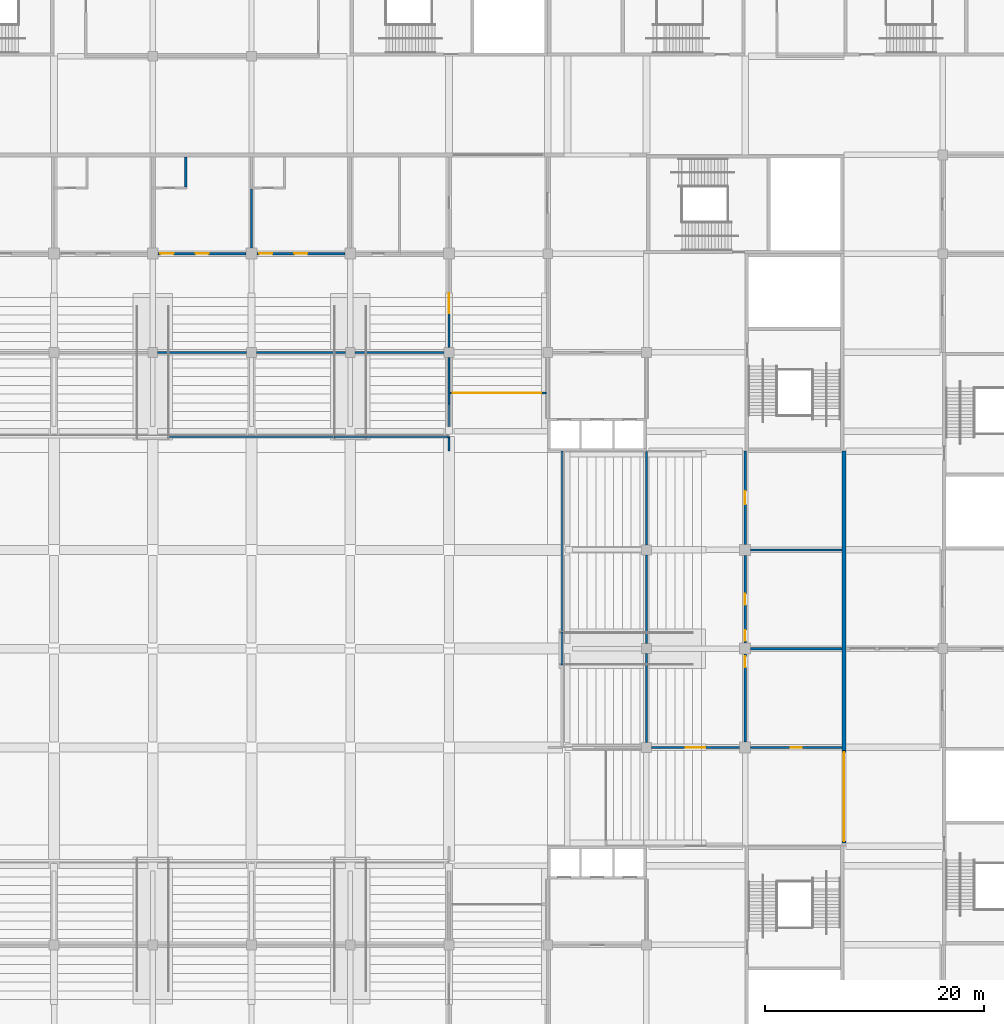
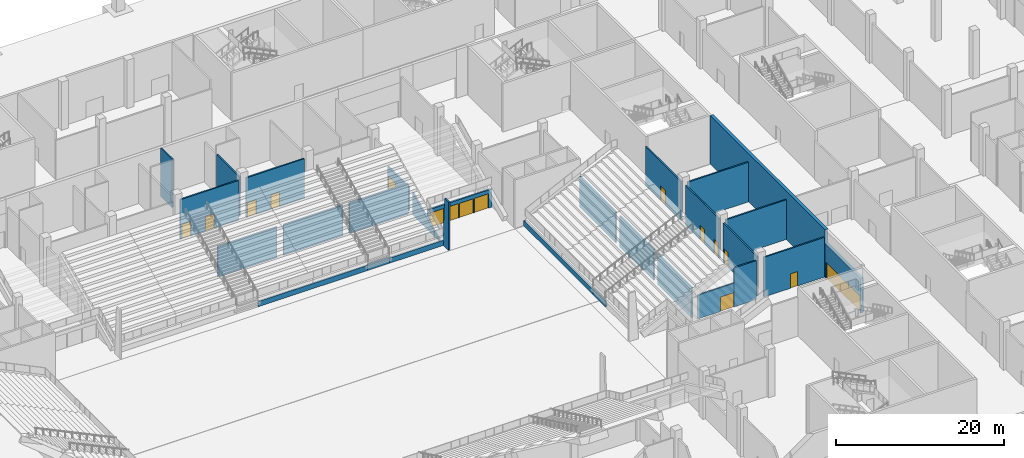
# One storey, part 35 of 92: 29 walls, 16 doors, 16 openings.
"""IFC4 building model written with IfcOpenShell, lengths in metres."""

from ifc_helpers import new_model, si_unit, direction, frame, frame_2d, origin, place, context, subcontext, project, spatial, polyline, rectangle, outline, extrude, material, layer, layer_set, type_object, element, fill, save


model = new_model("IFC4")

# Units and contexts
model_context = context("Model", 3, precision=1e-05, world=origin(), true_north=direction((0.0, 1.0)))
body_context = subcontext(model_context, "Body", "Model", "MODEL_VIEW")
ifc_project = project(units=[si_unit("LENGTHUNIT", "METRE"), si_unit("AREAUNIT", "SQUARE_METRE"), si_unit("VOLUMEUNIT", "CUBIC_METRE"), si_unit("PLANEANGLEUNIT", "RADIAN"), si_unit("MASSUNIT", "GRAM", prefix="KILO")], contexts=[model_context])

# Site, building, storey
site_placement = place(None, origin())
site = spatial("IfcSite", under=ifc_project, at=site_placement, CompositionType="ELEMENT")
building_placement = place(site_placement, origin())
building = spatial("IfcBuilding", under=site, at=building_placement, Name="Silverbay Arena", CompositionType="ELEMENT")
storey_placement = place(building_placement, origin())
storey = spatial("IfcBuildingStorey", under=building, at=storey_placement, Name="L00", CompositionType="ELEMENT", Elevation=0.0)

# Wall, opening, door
ifc_material_1 = material(Name="Concrete Grade C45", Category="concrete")
ifc_layer_1 = layer(ifc_material_1, 0.39990234375)
ifc_layer_set_1 = layer_set([ifc_layer_1], Name="Concrete Grade C45")
wall_type_1 = type_object("IfcWallType", Name="Bowl enclosure wall RC 400 EI 120", PredefinedType="SOLIDWALL", material=ifc_layer_set_1)
wall_1_placement = place(storey_placement, frame((189.0, 63.300048828125, 0.0), z_axis=(0.0, 0.0, 1.0), x_axis=(0.0, 1.0, 0.0)))
wall_1 = element("IfcWall", 1, at=wall_1_placement, inside=storey, type_object=wall_type_1, Name="tunnel floor tunnel ES", PredefinedType="SOLIDWALL", context=body_context, shape_type="SweptSolid", body=[
    extrude(rectangle(XDim=8.39990234375, YDim=0.39990234375, at=frame_2d((4.199951171875, 0.0))), origin(), (0.0, 0.0, 1.0), 5.0),
])
opening_1_placement = place(wall_1_placement, frame((0.14990234375, 0.0, 0.0)))
opening_1 = element("IfcOpeningElement", 2, at=opening_1_placement, cuts=wall_1, Name="Opening L00-229", PredefinedType="OPENING", context=body_context, shape_type="SweptSolid", body=[
    extrude(rectangle(XDim=8.10009765625, YDim=2.39990234375, at=frame_2d((4.050048828125, 1.199951171875))), frame((0.0, 0.2099609375, 0.0), z_axis=(0.0, -1.0, 0.0), x_axis=(1.0, 0.0, 0.0)), (0.0, 0.0, 1.0), 0.419921875),
])
ifc_material_2 = material(Name="Steel", Category="steel")
door_type_1 = type_object("IfcDoorType", Name="Fire door set 8100 x 2400 FD120S tunnel", OperationType="DOUBLE_DOOR_SINGLE_SWING", PredefinedType="DOOR", material=ifc_material_2)
door_1_placement = place(opening_1_placement, frame((8.10009765625, 0.0, 0.0), z_axis=(0.0, 0.0, 1.0), x_axis=(-1.0, 0.0, 0.0)))
door_1 = element("IfcDoor", 3, at=door_1_placement, inside=storey, type_object=door_type_1, Name="Fire door set L00 tunnel floor tunnel ES", OperationType="DOUBLE_DOOR_SINGLE_SWING", OverallHeight=2.39990234375, OverallWidth=8.10009765625, PredefinedType="DOOR", context=body_context, shape_type="SweptSolid", body=[
    extrude(rectangle(XDim=8.10009765625, YDim=2.39990234375, at=frame_2d((4.050048828125, 1.199951171875))), frame((0.0, 0.02490234375, 0.0), z_axis=(0.0, -1.0, 0.0), x_axis=(1.0, 0.0, 0.0)), (0.0, 0.0, 1.0), 0.050048828125),
])
fill(opening_1, door_1)

ifc_material_3 = material(Name="Masonry blockwork partition", Category="masonry")
ifc_layer_2 = layer(ifc_material_3, 0.199951171875)
ifc_layer_set_2 = layer_set([ifc_layer_2], Name="Masonry blockwork partition")
wall_type_2 = type_object("IfcWallType", Name="Partition 200 EI 120", PredefinedType="PARTITIONING", material=ifc_layer_set_2)
wall_2_placement = place(storey_placement, frame((171.449951171875, 72.0, 0.0), z_axis=(0.0, 0.0, 1.0), x_axis=(1.0, 0.0, 0.0)))
wall_2 = element("IfcWall", 4, at=wall_2_placement, inside=storey, type_object=wall_type_2, Name="Partition wall", PredefinedType="PARTITIONING", context=body_context, shape_type="SweptSolid", body=[
    extrude(rectangle(XDim=4.97900390625, YDim=0.199951171875, at=frame_2d((2.489501953125, 0.0))), origin(), (0.0, 0.0, 1.0), 3.43896484375),
])
opening_2_placement = place(wall_2_placement, frame((3.125, 0.0, 0.0)))
opening_2 = element("IfcOpeningElement", 5, at=opening_2_placement, cuts=wall_2, Name="Opening L00-089", PredefinedType="OPENING", context=body_context, shape_type="SweptSolid", body=[
    extrude(rectangle(XDim=1.800048828125, YDim=2.10009765625, at=frame_2d((0.89990234375, 1.050048828125))), frame((0.0, 0.10986328125, 0.0), z_axis=(0.0, -1.0, 0.0), x_axis=(1.0, 0.0, 0.0)), (0.0, 0.0, 1.0), 0.219970703125),
])
ifc_material_4 = material(Name="Steel faced timber", Category="steel")
door_type_2 = type_object("IfcDoorType", Name="Double leaf door 1800 x 2100 FD120", OperationType="DOUBLE_DOOR_DOUBLE_SWING", PredefinedType="DOOR", material=ifc_material_4)
door_2_placement = place(opening_2_placement, origin())
door_2 = element("IfcDoor", 6, at=door_2_placement, inside=storey, type_object=door_type_2, Name="Door L00-089", OperationType="DOUBLE_DOOR_DOUBLE_SWING", OverallHeight=2.10009765625, OverallWidth=1.800048828125, PredefinedType="DOOR", context=body_context, shape_type="SweptSolid", body=[
    extrude(rectangle(XDim=1.800048828125, YDim=2.10009765625, at=frame_2d((0.89990234375, 1.050048828125))), frame((0.0, 0.02490234375, 0.0), z_axis=(0.0, -1.0, 0.0), x_axis=(1.0, 0.0, 0.0)), (0.0, 0.0, 1.0), 0.050048828125),
])
fill(opening_2, door_2)

wall_3_placement = place(storey_placement, frame((180.5, 72.0, 0.0), z_axis=(0.0, 0.0, 1.0), x_axis=(1.0, 0.0, 0.0)))
wall_3 = element("IfcWall", 7, at=wall_3_placement, inside=storey, type_object=wall_type_2, Name="Partition wall", PredefinedType="PARTITIONING", context=body_context, shape_type="SweptSolid", body=[
    extrude(rectangle(XDim=8.300048828125, YDim=0.199951171875, at=frame_2d((4.14990234375, 0.0))), origin(), (0.0, 0.0, 1.0), 5.75),
])
opening_3_placement = place(wall_3_placement, frame((3.64990234375, 0.0, 0.0)))
opening_3 = element("IfcOpeningElement", 8, at=opening_3_placement, cuts=wall_3, Name="Opening L00-045", PredefinedType="OPENING", context=body_context, shape_type="SweptSolid", body=[
    extrude(rectangle(XDim=1.0, YDim=2.10009765625, at=frame_2d((0.5, 1.050048828125))), frame((0.0, 0.10986328125, 0.0), z_axis=(0.0, -1.0, 0.0), x_axis=(1.0, 0.0, 0.0)), (0.0, 0.0, 1.0), 0.219970703125),
])
ifc_material_5 = material(Name="Steel faced timber", Category="steel")
door_type_3 = type_object("IfcDoorType", Name="Single leaf door 1000 x 2100 FD120", OperationType="SINGLE_SWING_LEFT", PredefinedType="DOOR", material=ifc_material_5)
door_3_placement = place(opening_3_placement, origin())
door_3 = element("IfcDoor", 9, at=door_3_placement, inside=storey, type_object=door_type_3, Name="Door L00-045", OperationType="SINGLE_SWING_LEFT", OverallHeight=2.10009765625, OverallWidth=1.0, PredefinedType="DOOR", context=body_context, shape_type="SweptSolid", body=[
    extrude(rectangle(XDim=1.0, YDim=2.10009765625, at=frame_2d((0.5, 1.050048828125))), frame((0.0, 0.02490234375, 0.0), z_axis=(0.0, -1.0, 0.0), x_axis=(1.0, 0.0, 0.0)), (0.0, 0.0, 1.0), 0.050048828125),
])
fill(opening_3, door_3)

# Walls
wall_4_placement = place(storey_placement, frame((180.5, 90.0, 0.0), z_axis=(0.0, 0.0, 1.0), x_axis=(1.0, 0.0, 0.0)))
element("IfcWall", 10, at=wall_4_placement, inside=storey, type_object=wall_type_2, Name="Partition wall", PredefinedType="PARTITIONING", context=body_context, shape_type="SweptSolid", body=[
    extrude(rectangle(XDim=8.300048828125, YDim=0.199951171875, at=frame_2d((4.14990234375, 0.0))), origin(), (0.0, 0.0, 1.0), 5.75),
])
wall_5_placement = place(storey_placement, frame((153.0, 99.010009765625, 0.0), z_axis=(0.0, 0.0, 1.0), x_axis=(0.0, 1.0, 0.0)))
element("IfcWall", 11, at=wall_5_placement, inside=storey, type_object=wall_type_2, Name="Partition wall", PredefinedType="PARTITIONING", context=body_context, shape_type="SweptSolid", body=[
    extrude(outline(polyline([(0.0, 0.0), (1.340087890625, 0.0), (1.340087890625, -0.188720703125), (0.893310546875, 7.0), (0.0, 7.0), (0.0, 0.0)])), frame((0.0, 0.10009765625, 0.0), z_axis=(0.0, -1.0, 0.0), x_axis=(1.0, 0.0, 0.0)), (0.0, 0.0, 1.0), 0.199951171875),
])
wall_6_placement = place(storey_placement, frame((153.0, 101.25, 0.0), z_axis=(0.0, 0.0, 1.0), x_axis=(0.0, 1.0, 0.0)))
element("IfcWall", 12, at=wall_6_placement, inside=storey, type_object=wall_type_2, Name="Partition wall", PredefinedType="PARTITIONING", context=body_context, shape_type="SweptSolid", body=[
    extrude(outline(polyline([(0.0, 0.0), (6.300048828125, 0.0), (6.300048828125, 3.231201171875), (4.361572265625, 2.310546875), (0.0, 0.23876953125), (0.0, 0.0)])), frame((0.0, 0.10009765625, 0.0), z_axis=(0.0, -1.0, 0.0), x_axis=(1.0, 0.0, 0.0)), (0.0, 0.0, 1.0), 0.199951171875),
])

# Wall, opening, door
wall_7_placement = place(storey_placement, frame((153.0, 108.449951171875, 0.0), z_axis=(0.0, 0.0, 1.0), x_axis=(0.0, 1.0, 0.0)))
wall_7 = element("IfcWall", 13, at=wall_7_placement, inside=storey, type_object=wall_type_2, Name="Partition wall", PredefinedType="PARTITIONING", context=body_context, shape_type="SweptSolid", body=[
    extrude(rectangle(XDim=4.97900390625, YDim=0.199951171875, at=frame_2d((2.489501953125, 0.0))), origin(), (0.0, 0.0, 1.0), 3.43896484375),
])
opening_4_placement = place(wall_7_placement, frame((3.125, 0.0, 0.0)))
opening_4 = element("IfcOpeningElement", 14, at=opening_4_placement, cuts=wall_7, Name="Opening L00-085", PredefinedType="OPENING", context=body_context, shape_type="SweptSolid", body=[
    extrude(rectangle(XDim=1.800048828125, YDim=2.10009765625, at=frame_2d((0.89990234375, 1.050048828125))), frame((0.0, 0.10986328125, 0.0), z_axis=(0.0, -1.0, 0.0), x_axis=(1.0, 0.0, 0.0)), (0.0, 0.0, 1.0), 0.219970703125),
])
door_4_placement = place(opening_4_placement, origin())
door_4 = element("IfcDoor", 15, at=door_4_placement, inside=storey, type_object=door_type_2, Name="Door L00-085", OperationType="DOUBLE_DOOR_DOUBLE_SWING", OverallHeight=2.10009765625, OverallWidth=1.800048828125, PredefinedType="DOOR", context=body_context, shape_type="SweptSolid", body=[
    extrude(rectangle(XDim=1.800048828125, YDim=2.10009765625, at=frame_2d((0.89990234375, 1.050048828125))), frame((0.0, 0.02490234375, 0.0), z_axis=(0.0, -1.0, 0.0), x_axis=(1.0, 0.0, 0.0)), (0.0, 0.0, 1.0), 0.050048828125),
])
fill(opening_4, door_4)

wall_8_placement = place(storey_placement, frame((180.0, 72.5, 0.0), z_axis=(0.0, 0.0, 1.0), x_axis=(0.0, 1.0, 0.0)))
wall_8 = element("IfcWall", 16, at=wall_8_placement, inside=storey, type_object=wall_type_2, Name="Partition wall", PredefinedType="PARTITIONING", context=body_context, shape_type="SweptSolid", body=[
    extrude(rectangle(XDim=8.0, YDim=0.199951171875, at=frame_2d((4.0, 0.0))), origin(), (0.0, 0.0, 1.0), 5.75),
])
opening_5_placement = place(wall_8_placement, frame((6.800048828125, 0.0, 0.0)))
opening_5 = element("IfcOpeningElement", 17, at=opening_5_placement, cuts=wall_8, Name="Opening L00-106", PredefinedType="OPENING", context=body_context, shape_type="SweptSolid", body=[
    extrude(rectangle(XDim=1.0, YDim=2.10009765625, at=frame_2d((0.5, 1.050048828125))), frame((0.0, 0.10986328125, 0.0), z_axis=(0.0, -1.0, 0.0), x_axis=(1.0, 0.0, 0.0)), (0.0, 0.0, 1.0), 0.219970703125),
])
door_5_placement = place(opening_5_placement, frame((1.0, 0.0, 0.0), z_axis=(0.0, 0.0, 1.0), x_axis=(-1.0, 0.0, 0.0)))
door_5 = element("IfcDoor", 18, at=door_5_placement, inside=storey, type_object=door_type_3, Name="Door L00-106", OperationType="SINGLE_SWING_LEFT", OverallHeight=2.10009765625, OverallWidth=1.0, PredefinedType="DOOR", context=body_context, shape_type="SweptSolid", body=[
    extrude(rectangle(XDim=1.0, YDim=2.10009765625, at=frame_2d((0.5, 1.050048828125))), frame((0.0, 0.02490234375, 0.0), z_axis=(0.0, -1.0, 0.0), x_axis=(1.0, 0.0, 0.0)), (0.0, 0.0, 1.0), 0.050048828125),
])
fill(opening_5, door_5)

# Wall, openings, doors
wall_9_placement = place(storey_placement, frame((180.0, 81.5, 0.0), z_axis=(0.0, 0.0, 1.0), x_axis=(0.0, 1.0, 0.0)))
wall_9 = element("IfcWall", 19, at=wall_9_placement, inside=storey, type_object=wall_type_2, Name="Partition wall", PredefinedType="PARTITIONING", context=body_context, shape_type="SweptSolid", body=[
    extrude(rectangle(XDim=8.0, YDim=0.199951171875, at=frame_2d((4.0, 0.0))), origin(), (0.0, 0.0, 1.0), 5.75),
])
opening_6_placement = place(wall_9_placement, frame((3.5, 0.0, 0.0)))
opening_6 = element("IfcOpeningElement", 20, at=opening_6_placement, cuts=wall_9, Name="Opening L00-046", PredefinedType="OPENING", context=body_context, shape_type="SweptSolid", body=[
    extrude(rectangle(XDim=1.0, YDim=2.10009765625, at=frame_2d((0.5, 1.050048828125))), frame((0.0, 0.10986328125, 0.0), z_axis=(0.0, -1.0, 0.0), x_axis=(1.0, 0.0, 0.0)), (0.0, 0.0, 1.0), 0.219970703125),
])
opening_7_placement = place(wall_9_placement, frame((0.199951171875, 0.0, 0.0)))
opening_7 = element("IfcOpeningElement", 21, at=opening_7_placement, cuts=wall_9, Name="Opening L00-107", PredefinedType="OPENING", context=body_context, shape_type="SweptSolid", body=[
    extrude(rectangle(XDim=1.0, YDim=2.10009765625, at=frame_2d((0.5, 1.050048828125))), frame((0.0, 0.10986328125, 0.0), z_axis=(0.0, -1.0, 0.0), x_axis=(1.0, 0.0, 0.0)), (0.0, 0.0, 1.0), 0.219970703125),
])
door_6_placement = place(opening_6_placement, frame((1.0, 0.0, 0.0), z_axis=(0.0, 0.0, 1.0), x_axis=(-1.0, 0.0, 0.0)))
door_6 = element("IfcDoor", 22, at=door_6_placement, inside=storey, type_object=door_type_3, Name="Door L00-046", OperationType="SINGLE_SWING_LEFT", OverallHeight=2.10009765625, OverallWidth=1.0, PredefinedType="DOOR", context=body_context, shape_type="SweptSolid", body=[
    extrude(rectangle(XDim=1.0, YDim=2.10009765625, at=frame_2d((0.5, 1.050048828125))), frame((0.0, 0.02490234375, 0.0), z_axis=(0.0, -1.0, 0.0), x_axis=(1.0, 0.0, 0.0)), (0.0, 0.0, 1.0), 0.050048828125),
])
fill(opening_6, door_6)
door_7_placement = place(opening_7_placement, frame((1.0, 0.0, 0.0), z_axis=(0.0, 0.0, 1.0), x_axis=(-1.0, 0.0, 0.0)))
door_7 = element("IfcDoor", 23, at=door_7_placement, inside=storey, type_object=door_type_3, Name="Door L00-107", OperationType="SINGLE_SWING_RIGHT", OverallHeight=2.10009765625, OverallWidth=1.0, PredefinedType="DOOR", context=body_context, shape_type="SweptSolid", body=[
    extrude(rectangle(XDim=1.0, YDim=2.10009765625, at=frame_2d((0.5, 1.050048828125))), frame((0.0, 0.02490234375, 0.0), z_axis=(0.0, -1.0, 0.0), x_axis=(1.0, 0.0, 0.0)), (0.0, 0.0, 1.0), 0.050048828125),
])
fill(opening_7, door_7)

# Wall, opening, door
wall_10_placement = place(storey_placement, frame((180.0, 90.5, 0.0), z_axis=(0.0, 0.0, 1.0), x_axis=(0.0, 1.0, 0.0)))
wall_10 = element("IfcWall", 24, at=wall_10_placement, inside=storey, type_object=wall_type_2, Name="Partition wall", PredefinedType="PARTITIONING", context=body_context, shape_type="SweptSolid", body=[
    extrude(rectangle(XDim=8.5, YDim=0.199951171875, at=frame_2d((4.25, 0.0))), origin(), (0.0, 0.0, 1.0), 5.64990234375),
])
opening_8_placement = place(wall_10_placement, frame((3.64990234375, 0.0, 0.0)))
opening_8 = element("IfcOpeningElement", 25, at=opening_8_placement, cuts=wall_10, Name="Opening L00-047", PredefinedType="OPENING", context=body_context, shape_type="SweptSolid", body=[
    extrude(rectangle(XDim=1.199951171875, YDim=2.10009765625, at=frame_2d((0.60009765625, 1.050048828125))), frame((0.0, 0.10986328125, 0.0), z_axis=(0.0, -1.0, 0.0), x_axis=(1.0, 0.0, 0.0)), (0.0, 0.0, 1.0), 0.219970703125),
])
ifc_material_6 = material(Name="Steel faced timber", Category="steel")
door_type_4 = type_object("IfcDoorType", Name="Single leaf door 1200 x 2100 FD120", OperationType="SINGLE_SWING_LEFT", PredefinedType="DOOR", material=ifc_material_6)
door_8_placement = place(opening_8_placement, frame((1.199951171875, 0.0, 0.0), z_axis=(0.0, 0.0, 1.0), x_axis=(-1.0, 0.0, 0.0)))
door_8 = element("IfcDoor", 26, at=door_8_placement, inside=storey, type_object=door_type_4, Name="Door L00-047", OperationType="SINGLE_SWING_RIGHT", OverallHeight=2.10009765625, OverallWidth=1.199951171875, PredefinedType="DOOR", context=body_context, shape_type="SweptSolid", body=[
    extrude(rectangle(XDim=1.199951171875, YDim=2.10009765625, at=frame_2d((0.60009765625, 1.050048828125))), frame((0.0, 0.02490234375, 0.0), z_axis=(0.0, -1.0, 0.0), x_axis=(1.0, 0.0, 0.0)), (0.0, 0.0, 1.0), 0.050048828125),
])
fill(opening_8, door_8)

# Walls
wall_11_placement = place(storey_placement, frame((176.428955078125, 72.0, 0.0), z_axis=(0.0, 0.0, 1.0), x_axis=(1.0, 0.0, 0.0)))
element("IfcWall", 27, at=wall_11_placement, inside=storey, type_object=wall_type_2, Name="Partition wall", PredefinedType="PARTITIONING", context=body_context, shape_type="SweptSolid", body=[
    extrude(rectangle(XDim=3.071044921875, YDim=0.199951171875, at=frame_2d((1.53564453125, 0.0))), origin(), (0.0, 0.0, 1.0), 5.64990234375),
])
ifc_material_7 = material(Name="Gypsum board partition on steel studs", Category="steel")
ifc_layer_3 = layer(ifc_material_7, 0.199951171875)
ifc_layer_set_3 = layer_set([ifc_layer_3], Name="Gypsum board partition on steel studs")
wall_type_3 = type_object("IfcWallType", Name="Partition 200 EI 60", PredefinedType="PARTITIONING", material=ifc_layer_set_3)
wall_12_placement = place(storey_placement, frame((180.5, 81.0, 0.0), z_axis=(0.0, 0.0, 1.0), x_axis=(1.0, 0.0, 0.0)))
element("IfcWall", 28, at=wall_12_placement, inside=storey, type_object=wall_type_3, Name="Partition wall", PredefinedType="PARTITIONING", context=body_context, shape_type="SweptSolid", body=[
    extrude(rectangle(XDim=8.300048828125, YDim=0.199951171875, at=frame_2d((4.14990234375, 0.0))), origin(), (0.0, 0.0, 1.0), 5.75),
])
for number, where, z_axis, x_axis, name in (
    (29, (144.449951171875, 108.0, 0.0), (0.0, 0.0, 1.0), (1.0, 0.0, 0.0), "Partition wall"),
    (30, (135.449951171875, 108.0, 0.0), (0.0, 0.0, 1.0), (1.0, 0.0, 0.0), "Partition wall"),
    (31, (126.449951171875, 108.0, 0.0), (0.0, 0.0, 1.0), (1.0, 0.0, 0.0), "Partition wall"),
):
    element("IfcWall", number, at=place(storey_placement, frame(where, z_axis=z_axis, x_axis=x_axis)), inside=storey, type_object=wall_type_3, Name=name, PredefinedType="PARTITIONING", context=body_context, shape_type="SweptSolid", body=[
        extrude(rectangle(XDim=8.10009765625, YDim=0.199951171875, at=frame_2d((4.050048828125, 0.0))), origin(), (0.0, 0.0, 1.0), 4.445068359375),
    ])

# Wall, openings, doors
wall_13_placement = place(storey_placement, frame((126.5, 117.0, 0.0), z_axis=(0.0, 0.0, 1.0), x_axis=(1.0, 0.0, 0.0)))
wall_13 = element("IfcWall", 32, at=wall_13_placement, inside=storey, type_object=wall_type_3, Name="Partition wall", PredefinedType="PARTITIONING", context=body_context, shape_type="SweptSolid", body=[
    extrude(rectangle(XDim=8.0, YDim=0.199951171875, at=frame_2d((4.0, 0.0))), origin(), (0.0, 0.0, 1.0), 5.75),
])
opening_9_placement = place(wall_13_placement, frame((3.39990234375, 0.0, 0.0)))
opening_9 = element("IfcOpeningElement", 33, at=opening_9_placement, cuts=wall_13, Name="Opening L00-036", PredefinedType="OPENING", context=body_context, shape_type="SweptSolid", body=[
    extrude(rectangle(XDim=1.199951171875, YDim=2.10009765625, at=frame_2d((0.60009765625, 1.050048828125))), frame((0.0, 0.10986328125, 0.0), z_axis=(0.0, -1.0, 0.0), x_axis=(1.0, 0.0, 0.0)), (0.0, 0.0, 1.0), 0.219970703125),
])
opening_10_placement = place(wall_13_placement, frame((0.199951171875, 0.0, 0.0)))
opening_10 = element("IfcOpeningElement", 34, at=opening_10_placement, cuts=wall_13, Name="Opening L00-102", PredefinedType="OPENING", context=body_context, shape_type="SweptSolid", body=[
    extrude(rectangle(XDim=1.199951171875, YDim=2.10009765625, at=frame_2d((0.60009765625, 1.050048828125))), frame((0.0, 0.10986328125, 0.0), z_axis=(0.0, -1.0, 0.0), x_axis=(1.0, 0.0, 0.0)), (0.0, 0.0, 1.0), 0.219970703125),
])
ifc_material_8 = material(Name="Steel faced timber", Category="steel")
door_type_5 = type_object("IfcDoorType", Name="Single leaf door 1200 x 2100 FD30S", OperationType="SINGLE_SWING_LEFT", PredefinedType="DOOR", material=ifc_material_8)
door_9_placement = place(opening_9_placement, origin())
door_9 = element("IfcDoor", 35, at=door_9_placement, inside=storey, type_object=door_type_5, Name="Door L00-036", OperationType="SINGLE_SWING_RIGHT", OverallHeight=2.10009765625, OverallWidth=1.199951171875, PredefinedType="DOOR", context=body_context, shape_type="SweptSolid", body=[
    extrude(rectangle(XDim=1.199951171875, YDim=2.10009765625, at=frame_2d((0.60009765625, 1.050048828125))), frame((0.0, 0.02490234375, 0.0), z_axis=(0.0, -1.0, 0.0), x_axis=(1.0, 0.0, 0.0)), (0.0, 0.0, 1.0), 0.050048828125),
])
fill(opening_9, door_9)
door_10_placement = place(opening_10_placement, origin())
door_10 = element("IfcDoor", 36, at=door_10_placement, inside=storey, type_object=door_type_5, Name="Door L00-102", OperationType="SINGLE_SWING_LEFT", OverallHeight=2.10009765625, OverallWidth=1.199951171875, PredefinedType="DOOR", context=body_context, shape_type="SweptSolid", body=[
    extrude(rectangle(XDim=1.199951171875, YDim=2.10009765625, at=frame_2d((0.60009765625, 1.050048828125))), frame((0.0, 0.02490234375, 0.0), z_axis=(0.0, -1.0, 0.0), x_axis=(1.0, 0.0, 0.0)), (0.0, 0.0, 1.0), 0.050048828125),
])
fill(opening_10, door_10)

wall_14_placement = place(storey_placement, frame((135.5, 117.0, 0.0), z_axis=(0.0, 0.0, 1.0), x_axis=(1.0, 0.0, 0.0)))
wall_14 = element("IfcWall", 37, at=wall_14_placement, inside=storey, type_object=wall_type_3, Name="Partition wall", PredefinedType="PARTITIONING", context=body_context, shape_type="SweptSolid", body=[
    extrude(rectangle(XDim=8.0, YDim=0.199951171875, at=frame_2d((4.0, 0.0))), origin(), (0.0, 0.0, 1.0), 5.75),
])
opening_11_placement = place(wall_14_placement, frame((3.39990234375, 0.0, 0.0)))
opening_11 = element("IfcOpeningElement", 38, at=opening_11_placement, cuts=wall_14, Name="Opening L00-038", PredefinedType="OPENING", context=body_context, shape_type="SweptSolid", body=[
    extrude(rectangle(XDim=1.199951171875, YDim=2.10009765625, at=frame_2d((0.60009765625, 1.050048828125))), frame((0.0, 0.10986328125, 0.0), z_axis=(0.0, -1.0, 0.0), x_axis=(1.0, 0.0, 0.0)), (0.0, 0.0, 1.0), 0.219970703125),
])
opening_12_placement = place(wall_14_placement, frame((0.199951171875, 0.0, 0.0)))
opening_12 = element("IfcOpeningElement", 39, at=opening_12_placement, cuts=wall_14, Name="Opening L00-103", PredefinedType="OPENING", context=body_context, shape_type="SweptSolid", body=[
    extrude(rectangle(XDim=1.199951171875, YDim=2.10009765625, at=frame_2d((0.60009765625, 1.050048828125))), frame((0.0, 0.10986328125, 0.0), z_axis=(0.0, -1.0, 0.0), x_axis=(1.0, 0.0, 0.0)), (0.0, 0.0, 1.0), 0.219970703125),
])
door_11_placement = place(opening_11_placement, origin())
door_11 = element("IfcDoor", 40, at=door_11_placement, inside=storey, type_object=door_type_5, Name="Door L00-038", OperationType="SINGLE_SWING_RIGHT", OverallHeight=2.10009765625, OverallWidth=1.199951171875, PredefinedType="DOOR", context=body_context, shape_type="SweptSolid", body=[
    extrude(rectangle(XDim=1.199951171875, YDim=2.10009765625, at=frame_2d((0.60009765625, 1.050048828125))), frame((0.0, 0.02490234375, 0.0), z_axis=(0.0, -1.0, 0.0), x_axis=(1.0, 0.0, 0.0)), (0.0, 0.0, 1.0), 0.050048828125),
])
fill(opening_11, door_11)
door_12_placement = place(opening_12_placement, origin())
door_12 = element("IfcDoor", 41, at=door_12_placement, inside=storey, type_object=door_type_5, Name="Door L00-103", OperationType="SINGLE_SWING_LEFT", OverallHeight=2.10009765625, OverallWidth=1.199951171875, PredefinedType="DOOR", context=body_context, shape_type="SweptSolid", body=[
    extrude(rectangle(XDim=1.199951171875, YDim=2.10009765625, at=frame_2d((0.60009765625, 1.050048828125))), frame((0.0, 0.02490234375, 0.0), z_axis=(0.0, -1.0, 0.0), x_axis=(1.0, 0.0, 0.0)), (0.0, 0.0, 1.0), 0.050048828125),
])
fill(opening_12, door_12)

# Walls
wall_15_placement = place(storey_placement, frame((135.0, 117.5, 0.0), z_axis=(0.0, 0.0, 1.0), x_axis=(0.0, 1.0, 0.0)))
element("IfcWall", 42, at=wall_15_placement, inside=storey, type_object=wall_type_3, Name="Partition wall", PredefinedType="PARTITIONING", context=body_context, shape_type="SweptSolid", body=[
    extrude(rectangle(XDim=5.39990234375, YDim=0.199951171875, at=frame_2d((2.699951171875, 0.0))), origin(), (0.0, 0.0, 1.0), 5.75),
])
for number, where, z_axis, x_axis, name in (
    (43, (171.0, 72.449951171875, 0.0), (0.0, 0.0, 1.0), (0.0, 1.0, 0.0), "Partition wall"),
    (44, (171.0, 81.449951171875, 0.0), (0.0, 0.0, 1.0), (0.0, 1.0, 0.0), "Partition wall"),
):
    element("IfcWall", number, at=place(storey_placement, frame(where, z_axis=z_axis, x_axis=x_axis)), inside=storey, type_object=wall_type_3, Name=name, PredefinedType="PARTITIONING", context=body_context, shape_type="SweptSolid", body=[
        extrude(rectangle(XDim=8.10009765625, YDim=0.199951171875, at=frame_2d((4.050048828125, 0.0))), origin(), (0.0, 0.0, 1.0), 4.445068359375),
    ])
wall_16_placement = place(storey_placement, frame((171.0, 90.449951171875, 0.0), z_axis=(0.0, 0.0, 1.0), x_axis=(0.0, 1.0, 0.0)))
element("IfcWall", 45, at=wall_16_placement, inside=storey, type_object=wall_type_3, Name="Partition wall", PredefinedType="PARTITIONING", context=body_context, shape_type="SweptSolid", body=[
    extrude(rectangle(XDim=8.5400390625, YDim=0.199951171875, at=frame_2d((4.27001953125, 0.0))), origin(), (0.0, 0.0, 1.0), 4.445068359375),
])
ifc_material_9 = material(Name="Gypsum board partition on steel studs", Category="steel")
ifc_layer_4 = layer(ifc_material_9, 0.199951171875)
ifc_layer_set_4 = layer_set([ifc_layer_4], Name="Gypsum board partition on steel studs")
wall_type_4 = type_object("IfcWallType", Name="Partition 200 plain", PredefinedType="PARTITIONING", material=ifc_layer_set_4)
wall_17_placement = place(storey_placement, frame((129.0, 123.10009765625, 0.0), z_axis=(0.0, 0.0, 1.0), x_axis=(0.0, 1.0, 0.0)))
element("IfcWall", 46, at=wall_17_placement, inside=storey, type_object=wall_type_4, Name="Partition wall", PredefinedType="PARTITIONING", context=body_context, shape_type="SweptSolid", body=[
    extrude(rectangle(XDim=2.699951171875, YDim=0.199951171875, at=frame_2d((1.35009765625, 0.0))), origin(), (0.0, 0.0, 1.0), 7.0),
])
ifc_material_10 = material(Name="Concrete Grade C45", Category="concrete")
ifc_layer_5 = layer(ifc_material_10, 0.39990234375)
ifc_layer_set_5 = layer_set([ifc_layer_5], Name="Concrete Grade C45")
wall_type_5 = type_object("IfcWallType", Name="RC back wall 400 EI 120", PredefinedType="SOLIDWALL", material=ifc_layer_set_5)
wall_18_placement = place(storey_placement, frame((189.0, 71.699951171875, 0.0), z_axis=(0.0, 0.0, 1.0), x_axis=(0.0, 1.0, 0.0)))
element("IfcWall", 47, at=wall_18_placement, inside=storey, type_object=wall_type_5, Name="Bowl back wall L00 07", PredefinedType="SOLIDWALL", context=body_context, shape_type="SweptSolid", body=[
    extrude(rectangle(XDim=27.300048828125, YDim=0.39990234375, at=frame_2d((13.64990234375, 0.0))), origin(), (0.0, 0.0, 1.0), 7.0),
])
ifc_material_11 = material(Name="Concrete Grade C45", Category="concrete")
ifc_layer_6 = layer(ifc_material_11, 0.199951171875)
ifc_layer_set_6 = layer_set([ifc_layer_6], Name="Concrete Grade C45")
wall_type_6 = type_object("IfcWallType", Name="Stand front wall RC 200 EI 120", PredefinedType="SOLIDWALL", material=ifc_layer_set_6)
wall_19_placement = place(storey_placement, frame((163.300048828125, 79.5, 0.0), z_axis=(0.0, 0.0, 1.0), x_axis=(0.0, 1.0, 0.0)))
element("IfcWall", 48, at=wall_19_placement, inside=storey, type_object=wall_type_6, Name="Stand front wall", PredefinedType="SOLIDWALL", context=body_context, shape_type="SweptSolid", body=[
    extrude(rectangle(XDim=3.0, YDim=0.199951171875, at=frame_2d((1.5, 0.0))), origin(), (0.0, 0.0, 1.0), 0.811279296875),
])
wall_20_placement = place(storey_placement, frame((163.300048828125, 82.5, 0.0), z_axis=(0.0, 0.0, 1.0), x_axis=(0.0, 1.0, 0.0)))
element("IfcWall", 49, at=wall_20_placement, inside=storey, type_object=wall_type_6, Name="Stand front wall", PredefinedType="SOLIDWALL", context=body_context, shape_type="SweptSolid", body=[
    extrude(rectangle(XDim=16.5, YDim=0.199951171875, at=frame_2d((8.25, 0.0))), origin(), (0.0, 0.0, 1.0), 0.739990234375),
])
wall_21_placement = place(storey_placement, frame((127.5, 100.300048828125, 0.0), z_axis=(0.0, 0.0, 1.0), x_axis=(1.0, 0.0, 0.0)))
element("IfcWall", 50, at=wall_21_placement, inside=storey, type_object=wall_type_6, Name="Stand front wall", PredefinedType="SOLIDWALL", context=body_context, shape_type="SweptSolid", body=[
    extrude(rectangle(XDim=15.0, YDim=0.199951171875, at=frame_2d((7.5, 0.0))), origin(), (0.0, 0.0, 1.0), 0.739990234375),
])
wall_22_placement = place(storey_placement, frame((142.5, 100.300048828125, 0.0), z_axis=(0.0, 0.0, 1.0), x_axis=(1.0, 0.0, 0.0)))
element("IfcWall", 51, at=wall_22_placement, inside=storey, type_object=wall_type_6, Name="Stand front wall", PredefinedType="SOLIDWALL", context=body_context, shape_type="SweptSolid", body=[
    extrude(rectangle(XDim=3.0, YDim=0.199951171875, at=frame_2d((1.5, 0.0))), origin(), (0.0, 0.0, 1.0), 0.811279296875),
])
wall_23_placement = place(storey_placement, frame((145.5, 100.300048828125, 0.0), z_axis=(0.0, 0.0, 1.0), x_axis=(1.0, 0.0, 0.0)))
element("IfcWall", 52, at=wall_23_placement, inside=storey, type_object=wall_type_6, Name="Stand front wall", PredefinedType="SOLIDWALL", context=body_context, shape_type="SweptSolid", body=[
    extrude(rectangle(XDim=7.39990234375, YDim=0.199951171875, at=frame_2d((3.699951171875, 0.0))), origin(), (0.0, 0.0, 1.0), 0.739990234375),
])

# Wall, openings, doors
ifc_material_12 = material(Name="Concrete Grade C45", Category="concrete")
ifc_layer_7 = layer(ifc_material_12, 0.199951171875)
ifc_layer_set_7 = layer_set([ifc_layer_7], Name="Concrete Grade C45")
wall_type_7 = type_object("IfcWallType", Name="Tunnel mouth wall RC 200 EI 120", PredefinedType="SOLIDWALL", material=ifc_layer_set_7)
wall_24_placement = place(storey_placement, frame((153.10009765625, 104.300048828125, 0.0), z_axis=(0.0, 0.0, 1.0), x_axis=(1.0, 0.0, 0.0)))
wall_24 = element("IfcWall", 53, at=wall_24_placement, inside=storey, type_object=wall_type_7, Name="tunnel mouth floor tunnel NE", PredefinedType="SOLIDWALL", context=body_context, shape_type="SweptSolid", body=[
    extrude(rectangle(XDim=8.7998046875, YDim=0.199951171875, at=frame_2d((4.39990234375, 0.0))), origin(), (0.0, 0.0, 1.0), 2.639892578125),
])
opening_13_placement = place(wall_24_placement, frame((0.25, 0.0, 0.0)))
opening_13 = element("IfcOpeningElement", 54, at=opening_13_placement, cuts=wall_24, Name="Opening L00-242", PredefinedType="OPENING", context=body_context, shape_type="SweptSolid", body=[
    extrude(rectangle(XDim=1.89990234375, YDim=2.10009765625, at=frame_2d((0.949951171875, 1.050048828125))), frame((0.0, 0.10986328125, 0.0), z_axis=(0.0, -1.0, 0.0), x_axis=(1.0, 0.0, 0.0)), (0.0, 0.0, 1.0), 0.219970703125),
])
opening_14_placement = place(wall_24_placement, frame((2.300048828125, 0.0, 0.0)))
opening_14 = element("IfcOpeningElement", 55, at=opening_14_placement, cuts=wall_24, Name="Opening L00-243", PredefinedType="OPENING", context=body_context, shape_type="SweptSolid", body=[
    extrude(rectangle(XDim=1.89990234375, YDim=2.10009765625, at=frame_2d((0.949951171875, 1.050048828125))), frame((0.0, 0.10986328125, 0.0), z_axis=(0.0, -1.0, 0.0), x_axis=(1.0, 0.0, 0.0)), (0.0, 0.0, 1.0), 0.219970703125),
])
opening_15_placement = place(wall_24_placement, frame((4.35009765625, 0.0, 0.0)))
opening_15 = element("IfcOpeningElement", 56, at=opening_15_placement, cuts=wall_24, Name="Opening L00-244", PredefinedType="OPENING", context=body_context, shape_type="SweptSolid", body=[
    extrude(rectangle(XDim=1.89990234375, YDim=2.10009765625, at=frame_2d((0.949951171875, 1.050048828125))), frame((0.0, 0.10986328125, 0.0), z_axis=(0.0, -1.0, 0.0), x_axis=(1.0, 0.0, 0.0)), (0.0, 0.0, 1.0), 0.219970703125),
])
opening_16_placement = place(wall_24_placement, frame((6.39990234375, 0.0, 0.0)))
opening_16 = element("IfcOpeningElement", 57, at=opening_16_placement, cuts=wall_24, Name="Opening L00-245", PredefinedType="OPENING", context=body_context, shape_type="SweptSolid", body=[
    extrude(rectangle(XDim=1.89990234375, YDim=2.10009765625, at=frame_2d((0.949951171875, 1.050048828125))), frame((0.0, 0.10986328125, 0.0), z_axis=(0.0, -1.0, 0.0), x_axis=(1.0, 0.0, 0.0)), (0.0, 0.0, 1.0), 0.219970703125),
])
ifc_material_13 = material(Name="Steel", Category="steel")
door_type_6 = type_object("IfcDoorType", Name="Fire door pair 1900 x 2100 FD120S tunnel", OperationType="DOUBLE_DOOR_SINGLE_SWING", PredefinedType="DOOR", material=ifc_material_13)
door_13_placement = place(opening_13_placement, origin())
door_13 = element("IfcDoor", 58, at=door_13_placement, inside=storey, type_object=door_type_6, Name="Fire door pair L00 tunnel mouth floor tunnel NE", OperationType="DOUBLE_DOOR_SINGLE_SWING", OverallHeight=2.10009765625, OverallWidth=1.89990234375, PredefinedType="DOOR", context=body_context, shape_type="SweptSolid", body=[
    extrude(rectangle(XDim=1.89990234375, YDim=2.10009765625, at=frame_2d((0.949951171875, 1.050048828125))), frame((0.0, 0.02490234375, 0.0), z_axis=(0.0, -1.0, 0.0), x_axis=(1.0, 0.0, 0.0)), (0.0, 0.0, 1.0), 0.050048828125),
])
fill(opening_13, door_13)
door_14_placement = place(opening_14_placement, origin())
door_14 = element("IfcDoor", 59, at=door_14_placement, inside=storey, type_object=door_type_6, Name="Fire door pair L00 tunnel mouth floor tunnel NE", OperationType="DOUBLE_DOOR_SINGLE_SWING", OverallHeight=2.10009765625, OverallWidth=1.89990234375, PredefinedType="DOOR", context=body_context, shape_type="SweptSolid", body=[
    extrude(rectangle(XDim=1.89990234375, YDim=2.10009765625, at=frame_2d((0.949951171875, 1.050048828125))), frame((0.0, 0.02490234375, 0.0), z_axis=(0.0, -1.0, 0.0), x_axis=(1.0, 0.0, 0.0)), (0.0, 0.0, 1.0), 0.050048828125),
])
fill(opening_14, door_14)
door_15_placement = place(opening_15_placement, origin())
door_15 = element("IfcDoor", 60, at=door_15_placement, inside=storey, type_object=door_type_6, Name="Fire door pair L00 tunnel mouth floor tunnel NE", OperationType="DOUBLE_DOOR_SINGLE_SWING", OverallHeight=2.10009765625, OverallWidth=1.89990234375, PredefinedType="DOOR", context=body_context, shape_type="SweptSolid", body=[
    extrude(rectangle(XDim=1.89990234375, YDim=2.10009765625, at=frame_2d((0.949951171875, 1.050048828125))), frame((0.0, 0.02490234375, 0.0), z_axis=(0.0, -1.0, 0.0), x_axis=(1.0, 0.0, 0.0)), (0.0, 0.0, 1.0), 0.050048828125),
])
fill(opening_15, door_15)
door_16_placement = place(opening_16_placement, origin())
door_16 = element("IfcDoor", 61, at=door_16_placement, inside=storey, type_object=door_type_6, Name="Fire door pair L00 tunnel mouth floor tunnel NE", OperationType="DOUBLE_DOOR_SINGLE_SWING", OverallHeight=2.10009765625, OverallWidth=1.89990234375, PredefinedType="DOOR", context=body_context, shape_type="SweptSolid", body=[
    extrude(rectangle(XDim=1.89990234375, YDim=2.10009765625, at=frame_2d((0.949951171875, 1.050048828125))), frame((0.0, 0.02490234375, 0.0), z_axis=(0.0, -1.0, 0.0), x_axis=(1.0, 0.0, 0.0)), (0.0, 0.0, 1.0), 0.050048828125),
])
fill(opening_16, door_16)

save(model, "model.ifc")
